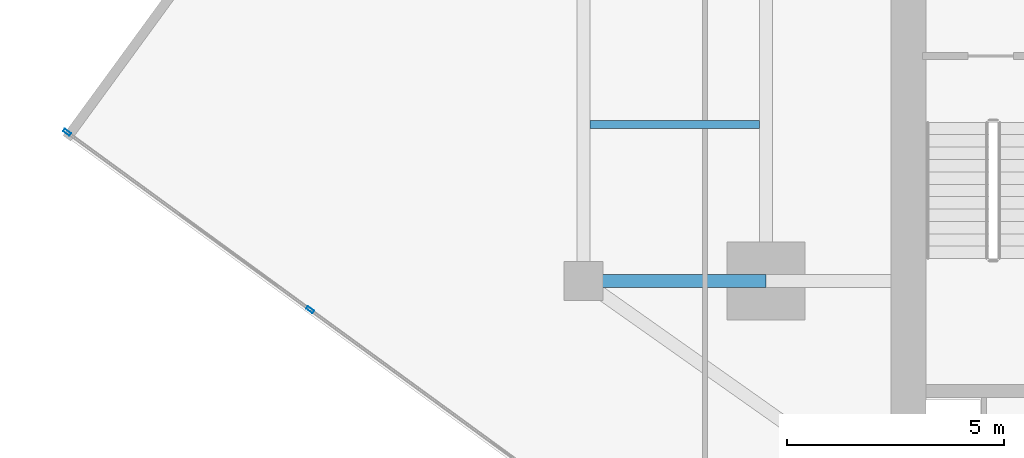
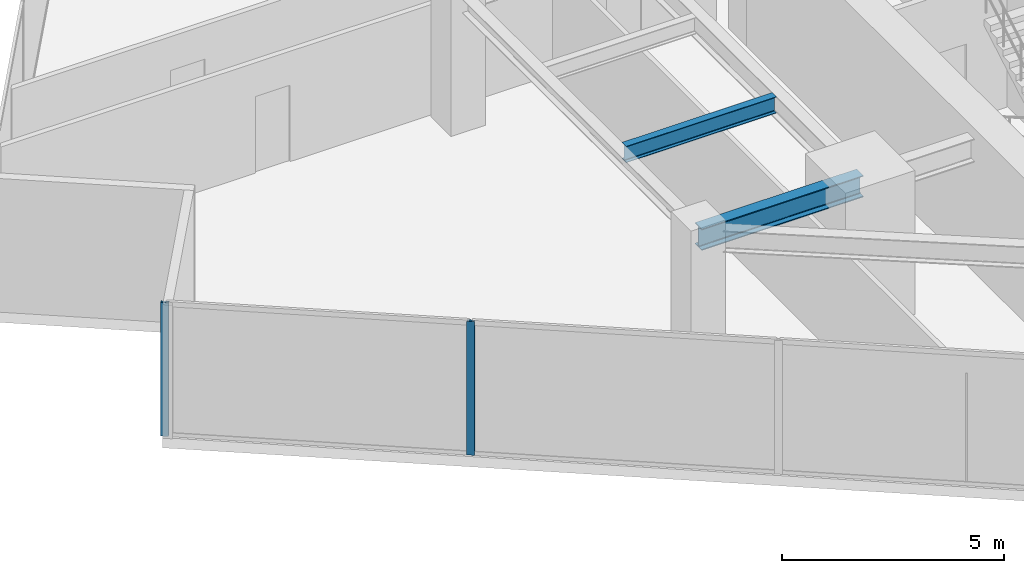
# One storey, part 5 of 25: 2 beams, 2 members, 1 element without a shape of its own.
"""IFC4 building model written with IfcOpenShell, lengths in metres."""

from ifc_helpers import new_model, si_unit, direction, frame, origin, origin_2d, place, context, subcontext, project, spatial, hollow_rectangle, i_section, extrude, source, transform, mapped, material, material_profile, profile_set, type_object, type_shapes, element, aggregate, save


model = new_model("IFC4")

# Units and contexts
model_context = context("Model", 3, precision=1e-05, world=origin(), true_north=direction((0.0, 1.0)))
body_context = subcontext(model_context, "Body", "Model", "MODEL_VIEW")
ifc_project = project(units=[si_unit("LENGTHUNIT", "METRE"), si_unit("AREAUNIT", "SQUARE_METRE"), si_unit("VOLUMEUNIT", "CUBIC_METRE"), si_unit("PLANEANGLEUNIT", "RADIAN"), si_unit("MASSUNIT", "GRAM", prefix="KILO")], contexts=[model_context])

# Site, building, storey
site_placement = place(None, origin())
site = spatial("IfcSite", under=ifc_project, at=site_placement, CompositionType="ELEMENT")
building_placement = place(site_placement, origin())
building = spatial("IfcBuilding", under=site, at=building_placement, Name="Krantzveldt Concourse Tower", CompositionType="ELEMENT")
storey_placement = place(building_placement, frame((0.0, 0.0, 193.60009765625)))
storey = spatial("IfcBuildingStorey", under=building, at=storey_placement, Name="L47", CompositionType="ELEMENT", Elevation=193.60009765625)

# Beams
ifc_material_1 = material(Name="Steel S355JR", Category="steel")
ifc_material_profile_1 = material_profile(ifc_material_1, i_section(OverallWidth=0.300048828125, OverallDepth=0.590087890625, WebThickness=0.012939453125, FlangeThickness=0.02490234375, FilletRadius=0.027099609375, at=origin_2d()), Name="Steel S355JR", Category="steel")
ifc_profile_set_1 = profile_set([ifc_material_profile_1], Name="Steel S355JR - HEA 600")
beam_type_1 = type_object("IfcBeamType", Name="BM-B-HEA600", PredefinedType="BEAM", material=ifc_profile_set_1)
shared_shape_1 = source(origin(), body_context, "Body", "SweptSolid", [
    extrude(i_section(OverallWidth=0.300048828125, OverallDepth=0.590087890625, WebThickness=0.012939453125, FlangeThickness=0.02490234375, FilletRadius=0.027099609375, at=origin_2d()), origin(), (0.0, 0.0, 1.0), 4.199951171875),
])
type_shapes(beam_type_1, [shared_shape_1])
beam_1_placement = place(storey_placement, frame((21.0, 15.89990234375, 3.375), z_axis=(1.0, 0.0, 0.0), x_axis=(0.0, 1.0, 0.0)))
element("IfcBeam", 1, at=beam_1_placement, inside=storey, type_object=beam_type_1, Name="L47 Tower Girder BR-RL1", PredefinedType="BEAM", context=body_context, shape_type="MappedRepresentation", body=[
    mapped(shared_shape_1, transform((0.0, 0.0, 0.0), x_axis=(1.0, 0.0, 0.0), y_axis=(0.0, 1.0, 0.0), z_axis=(0.0, 0.0, 1.0), scale=1.0)),
])
ifc_material_profile_2 = material_profile(ifc_material_1, i_section(OverallWidth=0.18994140625, OverallDepth=0.449951171875, WebThickness=0.009521484375, FlangeThickness=0.0146484375, FilletRadius=0.02099609375, at=origin_2d()), Name="Steel S355JR", Category="steel")
ifc_profile_set_2 = profile_set([ifc_material_profile_2], Name="Steel S355JR - IPE 450")
beam_type_2 = type_object("IfcBeamType", Name="BM-J-IPE450", PredefinedType="JOIST", material=ifc_profile_set_2)
shared_shape_2 = source(origin(), body_context, "Body", "SweptSolid", [
    extrude(i_section(OverallWidth=0.18994140625, OverallDepth=0.449951171875, WebThickness=0.009521484375, FlangeThickness=0.0146484375, FilletRadius=0.02099609375, at=origin_2d()), origin(), (0.0, 0.0, 1.0), 3.900146484375),
])
type_shapes(beam_type_2, [shared_shape_2])
beam_2_placement = place(storey_placement, frame((21.14990234375, 19.5, 3.44482421875), z_axis=(1.0, 0.0, 0.0), x_axis=(0.0, 1.0, 0.0)))
element("IfcBeam", 2, at=beam_2_placement, inside=storey, type_object=beam_type_2, Name="L47 Secondary Floor Joist JW-1", PredefinedType="JOIST", context=body_context, shape_type="MappedRepresentation", body=[
    mapped(shared_shape_2, transform((0.0, 0.0, 0.0), x_axis=(1.0, 0.0, 0.0), y_axis=(0.0, 1.0, 0.0), z_axis=(0.0, 0.0, 1.0), scale=1.0)),
])

# Curtain wall, members
ifc_material_2 = material(Name="Anodised aluminium 6063-T6", Category="aluminium")
curtain_wall_type = type_object("IfcCurtainWallType", Name="CW3", PredefinedType="USERDEFINED", material=ifc_material_2)
curtain_wall_placement = place(storey_placement, origin())
curtain_wall = element("IfcCurtainWall", 3, at=curtain_wall_placement, inside=storey, type_object=curtain_wall_type, Name="CW-L47-F04", ObjectType="UNITISED CURTAIN WALL", PredefinedType="USERDEFINED")
ifc_material_profile_3 = material_profile(ifc_material_2, hollow_rectangle(XDim=0.070068359375, YDim=0.179931640625, WallThickness=0.0048828125, at=origin_2d()), Name="Anodised aluminium 6063-T6", Category="aluminium")
ifc_profile_set_3 = profile_set([ifc_material_profile_3], Name="Anodised aluminium 6063-T6 - ALU-MULL 180x70x5")
member_type = type_object("IfcMemberType", Name="CW-MUL-180", PredefinedType="MULLION", material=ifc_profile_set_3)
shared_shape_3 = source(origin(), body_context, "Body", "SweptSolid", [
    extrude(hollow_rectangle(XDim=0.070068359375, YDim=0.179931640625, WallThickness=0.0048828125, at=origin_2d()), origin(), (0.0, 0.0, 1.0), 3.669921875),
])
type_shapes(member_type, [shared_shape_3])
member_1_placement = place(storey_placement, frame((9.11572265625, 19.32080078125, 0.0), z_axis=(0.0, 0.0, 1.0), x_axis=(0.589548833895, 0.807732735781, 0.0)))
member_1 = element("IfcMember", 4, at=member_1_placement, type_object=member_type, Name="CW-Z34 mullion 1", PredefinedType="MULLION", context=body_context, shape_type="MappedRepresentation", body=[
    mapped(shared_shape_3, transform((0.0, 0.0, 0.0), x_axis=(1.0, 0.0, 0.0), y_axis=(0.0, 1.0, 0.0), z_axis=(0.0, 0.0, 1.0), scale=1.0)),
])
member_2_placement = place(storey_placement, frame((14.709228515625, 15.23828125, 0.0), z_axis=(0.0, 0.0, 1.0), x_axis=(0.589548833895, 0.807732735781, 0.0)))
member_2 = element("IfcMember", 5, at=member_2_placement, type_object=member_type, Name="CW-Z34 mullion 2", PredefinedType="MULLION", context=body_context, shape_type="MappedRepresentation", body=[
    mapped(shared_shape_3, transform((0.0, 0.0, 0.0), x_axis=(1.0, 0.0, 0.0), y_axis=(0.0, 1.0, 0.0), z_axis=(0.0, 0.0, 1.0), scale=1.0)),
])
aggregate(curtain_wall, [member_1, member_2])

save(model, "model.ifc")
